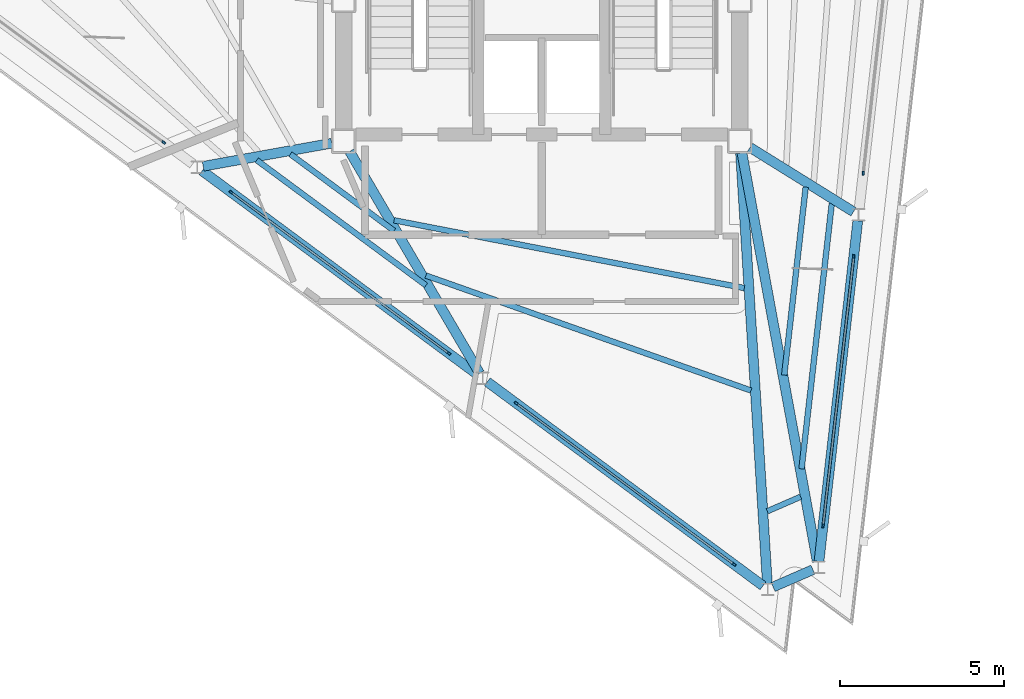
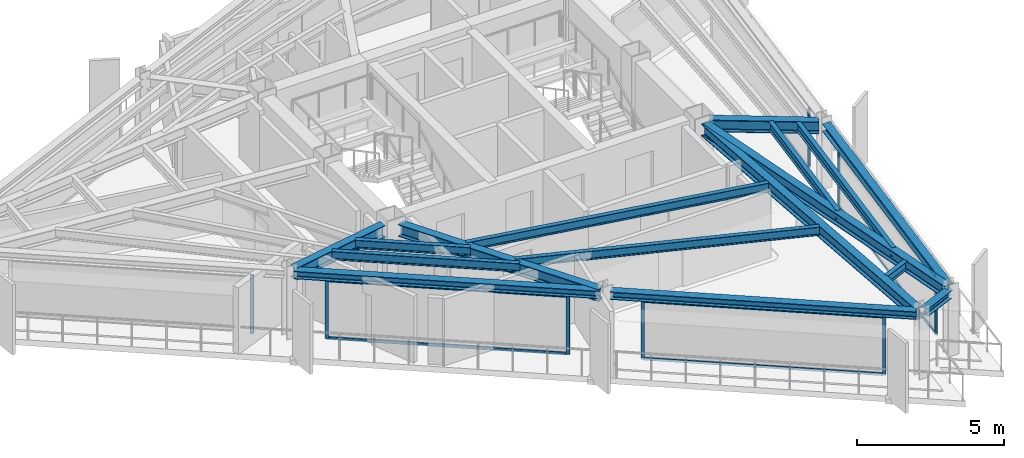
# One storey, part 2 of 10: 16 beams, 14 members, 5 elements without a shape of their own.
"""IFC4 building model written with IfcOpenShell, lengths in metres."""

from ifc_helpers import new_model, si_unit, direction, frame, origin, origin_2d, place, context, subcontext, project, spatial, rectangle, i_section, extrude, material, layer, layer_set, material_profile, profile_set, type_object, element, aggregate, save


model = new_model("IFC4")

# Units and contexts
model_context = context("Model", 3, precision=1e-05, world=origin(), true_north=direction((0.0, 1.0)))
body_context = subcontext(model_context, "Body", "Model", "MODEL_VIEW")
ifc_project = project(units=[si_unit("LENGTHUNIT", "METRE"), si_unit("AREAUNIT", "SQUARE_METRE"), si_unit("VOLUMEUNIT", "CUBIC_METRE"), si_unit("PLANEANGLEUNIT", "RADIAN"), si_unit("MASSUNIT", "GRAM", prefix="KILO")], contexts=[model_context])

# Site, building, storey
site_placement = place(None, origin())
site = spatial("IfcSite", under=ifc_project, at=site_placement, CompositionType="ELEMENT")
building_placement = place(site_placement, origin())
building = spatial("IfcBuilding", under=site, at=building_placement, Name="Rocaltana Carrier Exchange", CompositionType="ELEMENT")
storey_placement = place(building_placement, frame((0.0, 0.0, 220.9599609375)))
storey = spatial("IfcBuildingStorey", under=building, at=storey_placement, Name="L70", CompositionType="ELEMENT", Elevation=220.9599609375)

# Curtain wall, members
ifc_material_1 = material(Name="Aluminium 6063-T6", Category="aluminium")
ifc_layer = layer(ifc_material_1, 0.1201171875)
ifc_layer_set = layer_set([ifc_layer], Name="Aluminium 6063-T6")
curtain_wall_type = type_object("IfcCurtainWallType", Name="High-Altitude Thermal Curtain Wall CW-05", PredefinedType="NOTDEFINED", material=ifc_layer_set)
curtain_wall_1_placement = place(storey_placement, origin())
curtain_wall_1 = element("IfcCurtainWall", 1, at=curtain_wall_1_placement, inside=storey, type_object=curtain_wall_type, Name="L70 CW-05 Run CW-L70-F1S1", PredefinedType="NOTDEFINED")
ifc_material_2 = material(Name="Aluminium 6063-T6", Category="aluminium")
ifc_material_profile_1 = material_profile(ifc_material_2, rectangle(XDim=0.06005859375, YDim=0.1201171875, at=origin_2d()), Name="AL-60X120")
ifc_profile_set_1 = profile_set([ifc_material_profile_1], Name="Aluminium 6063-T6")
member_type_1 = type_object("IfcMemberType", Name="CW-05 Mullion AL-60X120", PredefinedType="MULLION", material=ifc_profile_set_1)
member_1_placement = place(storey_placement, frame((8.593505859375, -16.0458984375, 0.0), z_axis=(0.0, 0.0, 1.0), x_axis=(-0.993571216652, 0.113208822277, 0.0)))
member_1 = element("IfcMember", 2, at=member_1_placement, type_object=member_type_1, Name="CW-05 mullion 1", PredefinedType="MULLION", context=body_context, shape_type="SweptSolid", body=[
    extrude(rectangle(XDim=0.06005859375, YDim=0.1201171875, at=origin_2d()), origin(), (0.0, 0.0, 1.0), 2.447998046875),
])
member_2_placement = place(storey_placement, frame((9.530029296875, -7.825927734375, 0.0), z_axis=(0.0, 0.0, 1.0), x_axis=(-0.993571216652, 0.113208822277, 0.0)))
member_2 = element("IfcMember", 3, at=member_2_placement, type_object=member_type_1, Name="CW-05 mullion 2", PredefinedType="MULLION", context=body_context, shape_type="SweptSolid", body=[
    extrude(rectangle(XDim=0.06005859375, YDim=0.1201171875, at=origin_2d()), origin(), (0.0, 0.0, 1.0), 2.447998046875),
])

# Curtain wall, member
curtain_wall_2_placement = place(storey_placement, origin())
curtain_wall_2 = element("IfcCurtainWall", 4, at=curtain_wall_2_placement, inside=storey, type_object=curtain_wall_type, Name="L70 CW-05 Run CW-L70-F1S2", PredefinedType="NOTDEFINED")
member_3_placement = place(storey_placement, frame((9.81982421875, -5.2822265625, 0.0), z_axis=(0.0, 0.0, 1.0), x_axis=(-0.993571216652, 0.113208822277, 0.0)))
member_3 = element("IfcMember", 5, at=member_3_placement, type_object=member_type_1, Name="CW-05 mullion 1", PredefinedType="MULLION", context=body_context, shape_type="SweptSolid", body=[
    extrude(rectangle(XDim=0.06005859375, YDim=0.1201171875, at=origin_2d()), origin(), (0.0, 0.0, 1.0), 2.447998046875),
])
aggregate(curtain_wall_2, [member_3])

curtain_wall_3_placement = place(storey_placement, origin())
curtain_wall_3 = element("IfcCurtainWall", 6, at=curtain_wall_3_placement, inside=storey, type_object=curtain_wall_type, Name="L70 CW-05 Run CW-L70-F3S1", PredefinedType="NOTDEFINED")
member_4_placement = place(storey_placement, frame((-11.54248046875, -4.340576171875, 0.0), z_axis=(0.0, 0.0, 1.0), x_axis=(0.594826566974, 0.803854063386, 0.0)))
member_4 = element("IfcMember", 7, at=member_4_placement, type_object=member_type_1, Name="CW-05 mullion 2", PredefinedType="MULLION", context=body_context, shape_type="SweptSolid", body=[
    extrude(rectangle(XDim=0.06005859375, YDim=0.1201171875, at=origin_2d()), origin(), (0.0, 0.0, 1.0), 2.447998046875),
])
aggregate(curtain_wall_3, [member_4])

# Curtain wall, members
curtain_wall_4_placement = place(storey_placement, origin())
curtain_wall_4 = element("IfcCurtainWall", 8, at=curtain_wall_4_placement, inside=storey, type_object=curtain_wall_type, Name="L70 CW-05 Run CW-L70-F3S2", PredefinedType="NOTDEFINED")
member_5_placement = place(storey_placement, frame((-9.484619140625, -5.863037109375, 0.0), z_axis=(0.0, 0.0, 1.0), x_axis=(0.594820829179, 0.803858309141, 0.0)))
member_5 = element("IfcMember", 9, at=member_5_placement, type_object=member_type_1, Name="CW-05 mullion 1", PredefinedType="MULLION", context=body_context, shape_type="SweptSolid", body=[
    extrude(rectangle(XDim=0.06005859375, YDim=0.1201171875, at=origin_2d()), origin(), (0.0, 0.0, 1.0), 2.447998046875),
])
member_6_placement = place(storey_placement, frame((-2.833984375, -10.784423828125, 0.0), z_axis=(0.0, 0.0, 1.0), x_axis=(0.594820829179, 0.803858309141, 0.0)))
member_6 = element("IfcMember", 10, at=member_6_placement, type_object=member_type_1, Name="CW-05 mullion 2", PredefinedType="MULLION", context=body_context, shape_type="SweptSolid", body=[
    extrude(rectangle(XDim=0.06005859375, YDim=0.1201171875, at=origin_2d()), origin(), (0.0, 0.0, 1.0), 2.447998046875),
])

curtain_wall_5_placement = place(storey_placement, origin())
curtain_wall_5 = element("IfcCurtainWall", 11, at=curtain_wall_5_placement, inside=storey, type_object=curtain_wall_type, Name="L70 CW-05 Run CW-L70-F3S3", PredefinedType="NOTDEFINED")
member_7_placement = place(storey_placement, frame((-0.776123046875, -12.30712890625, 0.0), z_axis=(0.0, 0.0, 1.0), x_axis=(0.594826566974, 0.803854063386, 0.0)))
member_7 = element("IfcMember", 12, at=member_7_placement, type_object=member_type_1, Name="CW-05 mullion 1", PredefinedType="MULLION", context=body_context, shape_type="SweptSolid", body=[
    extrude(rectangle(XDim=0.06005859375, YDim=0.1201171875, at=origin_2d()), origin(), (0.0, 0.0, 1.0), 2.447998046875),
])
member_8_placement = place(storey_placement, frame((5.87451171875, -17.228271484375, 0.0), z_axis=(0.0, 0.0, 1.0), x_axis=(0.594826566974, 0.803854063386, 0.0)))
member_8 = element("IfcMember", 13, at=member_8_placement, type_object=member_type_1, Name="CW-05 mullion 2", PredefinedType="MULLION", context=body_context, shape_type="SweptSolid", body=[
    extrude(rectangle(XDim=0.06005859375, YDim=0.1201171875, at=origin_2d()), origin(), (0.0, 0.0, 1.0), 2.447998046875),
])

# Member
ifc_material_3 = material(Name="Aluminium 6063-T6", Category="aluminium")
ifc_material_profile_2 = material_profile(ifc_material_3, rectangle(XDim=0.06005859375, YDim=0.1201171875, at=origin_2d()), Name="AL-60X120")
ifc_profile_set_2 = profile_set([ifc_material_profile_2], Name="Aluminium 6063-T6")
member_type_2 = type_object("IfcMemberType", Name="CW-05 Transom AL-60X120", PredefinedType="USERDEFINED", material=ifc_profile_set_2)
member_9_placement = place(storey_placement, frame((8.596923828125, -16.01611328125, 0.030029296875), z_axis=(0.113194477683, 0.993572850989, 0.0), x_axis=(-0.993572850989, 0.113194477683, 0.0)))
member_9 = element("IfcMember", 14, at=member_9_placement, type_object=member_type_2, Name="CW-05 transom 1.1", ObjectType="TRANSOM", PredefinedType="USERDEFINED", context=body_context, shape_type="SweptSolid", body=[
    extrude(rectangle(XDim=0.06005859375, YDim=0.1201171875, at=origin_2d()), origin(), (0.0, 0.0, 1.0), 8.213134765625),
])

member_10_placement = place(storey_placement, frame((8.596923828125, -16.01611328125, 2.41796875), z_axis=(0.113194477683, 0.993572850989, 0.0), x_axis=(-0.993572850989, 0.113194477683, 0.0)))
member_10 = element("IfcMember", 15, at=member_10_placement, type_object=member_type_2, Name="CW-05 transom 1.2", ObjectType="TRANSOM", PredefinedType="USERDEFINED", context=body_context, shape_type="SweptSolid", body=[
    extrude(rectangle(XDim=0.06005859375, YDim=0.1201171875, at=origin_2d()), origin(), (0.0, 0.0, 1.0), 8.213134765625),
])

aggregate(curtain_wall_1, [member_1, member_2, member_9, member_10])

member_11_placement = place(storey_placement, frame((-9.46044921875, -5.881103515625, 0.030029296875), z_axis=(0.80386407087, -0.59481304253, 0.0), x_axis=(0.59481304253, 0.80386407087, 0.0)))
member_11 = element("IfcMember", 16, at=member_11_placement, type_object=member_type_2, Name="CW-05 transom 1.1", ObjectType="TRANSOM", PredefinedType="USERDEFINED", context=body_context, shape_type="SweptSolid", body=[
    extrude(rectangle(XDim=0.06005859375, YDim=0.1201171875, at=origin_2d()), origin(), (0.0, 0.0, 1.0), 8.213623046875),
])

member_12_placement = place(storey_placement, frame((-9.46044921875, -5.881103515625, 2.41796875), z_axis=(0.80386407087, -0.59481304253, 0.0), x_axis=(0.59481304253, 0.80386407087, 0.0)))
member_12 = element("IfcMember", 17, at=member_12_placement, type_object=member_type_2, Name="CW-05 transom 1.2", ObjectType="TRANSOM", PredefinedType="USERDEFINED", context=body_context, shape_type="SweptSolid", body=[
    extrude(rectangle(XDim=0.06005859375, YDim=0.1201171875, at=origin_2d()), origin(), (0.0, 0.0, 1.0), 8.213623046875),
])

aggregate(curtain_wall_4, [member_5, member_6, member_11, member_12])

member_13_placement = place(storey_placement, frame((-0.751953125, -12.324951171875, 0.030029296875), z_axis=(0.803853553959, -0.594827255418, 0.0), x_axis=(0.594827255418, 0.803853553959, 0.0)))
member_13 = element("IfcMember", 18, at=member_13_placement, type_object=member_type_2, Name="CW-05 transom 1.1", ObjectType="TRANSOM", PredefinedType="USERDEFINED", context=body_context, shape_type="SweptSolid", body=[
    extrude(rectangle(XDim=0.06005859375, YDim=0.1201171875, at=origin_2d()), origin(), (0.0, 0.0, 1.0), 8.21337890625),
])

member_14_placement = place(storey_placement, frame((-0.751953125, -12.324951171875, 2.41796875), z_axis=(0.803853553959, -0.594827255418, 0.0), x_axis=(0.594827255418, 0.803853553959, 0.0)))
member_14 = element("IfcMember", 19, at=member_14_placement, type_object=member_type_2, Name="CW-05 transom 1.2", ObjectType="TRANSOM", PredefinedType="USERDEFINED", context=body_context, shape_type="SweptSolid", body=[
    extrude(rectangle(XDim=0.06005859375, YDim=0.1201171875, at=origin_2d()), origin(), (0.0, 0.0, 1.0), 8.21337890625),
])

aggregate(curtain_wall_5, [member_7, member_8, member_13, member_14])

# Beams
ifc_material_4 = material(Name="Steel S355", Category="steel")
ifc_material_profile_3 = material_profile(ifc_material_4, i_section(OverallWidth=0.172119140625, OverallDepth=0.35791015625, WebThickness=0.0078125, FlangeThickness=0.01318359375, FilletRadius=0.011962890625, at=origin_2d()), Name="W14X38")
ifc_profile_set_3 = profile_set([ifc_material_profile_3], Name="Steel S355")
beam_type_1 = type_object("IfcBeamType", Name="Floor Joist W14X38", PredefinedType="JOIST", material=ifc_profile_set_3)
beam_1_placement = place(storey_placement, frame((7.409423828125, -11.44677734375, 2.619140625), z_axis=(0.113227249781, 0.993569116824, 0.0), x_axis=(-0.993569116824, 0.113227249781, 0.0)))
element("IfcBeam", 20, at=beam_1_placement, inside=storey, type_object=beam_type_1, Name="FJ-L70-01-2", PredefinedType="JOIST", context=body_context, shape_type="SweptSolid", body=[
    extrude(i_section(OverallWidth=0.172119140625, OverallDepth=0.35791015625, WebThickness=0.0078125, FlangeThickness=0.01318359375, FilletRadius=0.011962890625, at=origin_2d()), origin(), (0.0, 0.0, 1.0), 5.778564453125),
])
beam_2_placement = place(storey_placement, frame((7.937255859375, -14.310791015625, 2.619140625), z_axis=(0.113185523322, 0.993573871089, 0.0), x_axis=(-0.993573871089, 0.113185523322, 0.0)))
element("IfcBeam", 21, at=beam_2_placement, inside=storey, type_object=beam_type_1, Name="FJ-L70-01-3", PredefinedType="JOIST", context=body_context, shape_type="SweptSolid", body=[
    extrude(i_section(OverallWidth=0.172119140625, OverallDepth=0.35791015625, WebThickness=0.0078125, FlangeThickness=0.01318359375, FilletRadius=0.011962890625, at=origin_2d()), origin(), (0.0, 0.0, 1.0), 8.162109375),
])
beam_3_placement = place(storey_placement, frame((-7.675048828125, -4.698486328125, 2.619140625), z_axis=(0.803860282808, -0.594818161899, 0.0), x_axis=(0.594818161899, 0.803860282808, 0.0)))
element("IfcBeam", 22, at=beam_3_placement, inside=storey, type_object=beam_type_1, Name="FJ-L70-10-1", PredefinedType="JOIST", context=body_context, shape_type="SweptSolid", body=[
    extrude(i_section(OverallWidth=0.172119140625, OverallDepth=0.35791015625, WebThickness=0.0078125, FlangeThickness=0.01318359375, FilletRadius=0.011962890625, at=origin_2d()), origin(), (0.0, 0.0, 1.0), 3.93701171875),
])
beam_4_placement = place(storey_placement, frame((-8.70166015625, -4.8828125, 2.619140625), z_axis=(0.803852431251, -0.59482877265, 0.0), x_axis=(0.59482877265, 0.803852431251, 0.0)))
element("IfcBeam", 23, at=beam_4_placement, inside=storey, type_object=beam_type_1, Name="FJ-L70-10-2", PredefinedType="JOIST", context=body_context, shape_type="SweptSolid", body=[
    extrude(i_section(OverallWidth=0.172119140625, OverallDepth=0.35791015625, WebThickness=0.0078125, FlangeThickness=0.01318359375, FilletRadius=0.011962890625, at=origin_2d()), origin(), (0.0, 0.0, 1.0), 6.4287109375),
])
beam_5_placement = place(storey_placement, frame((-4.5078125, -6.718505859375, 2.619140625), z_axis=(0.981759350147, -0.190127794914, 0.0), x_axis=(0.190127794914, 0.981759350147, 0.0)))
element("IfcBeam", 24, at=beam_5_placement, inside=storey, type_object=beam_type_1, Name="FJ-L70-11-1", PredefinedType="JOIST", context=body_context, shape_type="SweptSolid", body=[
    extrude(i_section(OverallWidth=0.172119140625, OverallDepth=0.35791015625, WebThickness=0.0078125, FlangeThickness=0.01318359375, FilletRadius=0.011962890625, at=origin_2d()), origin(), (0.0, 0.0, 1.0), 10.896728515625),
])
beam_6_placement = place(storey_placement, frame((-3.537109375, -8.405517578125, 2.619140625), z_axis=(0.942743579006, -0.333518431639, 0.0), x_axis=(0.333518431639, 0.942743579006, 0.0)))
element("IfcBeam", 25, at=beam_6_placement, inside=storey, type_object=beam_type_1, Name="FJ-L70-11-2", PredefinedType="JOIST", context=body_context, shape_type="SweptSolid", body=[
    extrude(i_section(OverallWidth=0.172119140625, OverallDepth=0.35791015625, WebThickness=0.0078125, FlangeThickness=0.01318359375, FilletRadius=0.011962890625, at=origin_2d()), origin(), (0.0, 0.0, 1.0), 10.5322265625),
])
beam_7_placement = place(storey_placement, frame((6.890380859375, -15.60498046875, 2.619140625), z_axis=(0.917028106869, 0.398822581122, 0.0), x_axis=(-0.398822581122, 0.917028106869, 0.0)))
element("IfcBeam", 26, at=beam_7_placement, inside=storey, type_object=beam_type_1, Name="FJ-L70-12-3", PredefinedType="JOIST", context=body_context, shape_type="SweptSolid", body=[
    extrude(i_section(OverallWidth=0.172119140625, OverallDepth=0.35791015625, WebThickness=0.0078125, FlangeThickness=0.01318359375, FilletRadius=0.011962890625, at=origin_2d()), origin(), (0.0, 0.0, 1.0), 1.1103515625),
])
ifc_material_5 = material(Name="Steel S355", Category="steel")
ifc_material_profile_4 = material_profile(ifc_material_5, i_section(OverallWidth=0.300048828125, OverallDepth=0.320068359375, WebThickness=0.011474609375, FlangeThickness=0.0205078125, FilletRadius=0.027099609375, at=origin_2d()), Name="HEB320")
ifc_profile_set_4 = profile_set([ifc_material_profile_4], Name="Steel S355")
beam_type_2 = type_object("IfcBeamType", Name="Spandrel Edge Beam HEB320", PredefinedType="SPANDREL", material=ifc_profile_set_4)
for number, where, z_axis, x_axis, name in (
    (27, (8.468994140625, -17.139404296875, 2.637939453125), (0.113209353353, 0.99357115614, 0.0), (-0.99357115614, 0.113209353353, 0.0), "SP-L70-01"),
    (28, (-10.369140625, -5.20849609375, 2.637939453125), (0.803854381492, -0.594826137082, 0.0), (0.594826137082, 0.803854381492, 0.0), "SP-L70-10"),
):
    element("IfcBeam", number, at=place(storey_placement, frame(where, z_axis=z_axis, x_axis=x_axis)), inside=storey, type_object=beam_type_2, Name=name, PredefinedType="SPANDREL", context=body_context, shape_type="SweptSolid", body=[
        extrude(i_section(OverallWidth=0.300048828125, OverallDepth=0.320068359375, WebThickness=0.011474609375, FlangeThickness=0.0205078125, FilletRadius=0.027099609375, at=origin_2d()), origin(), (0.0, 0.0, 1.0), 10.474365234375),
    ])
beam_8_placement = place(storey_placement, frame((-1.66064453125, -11.652587890625, 2.637939453125), z_axis=(0.803857279617, -0.594822220505, 0.0), x_axis=(0.594822220505, 0.803857279617, 0.0)))
element("IfcBeam", 29, at=beam_8_placement, inside=storey, type_object=beam_type_2, Name="SP-L70-11", PredefinedType="SPANDREL", context=body_context, shape_type="SweptSolid", body=[
    extrude(i_section(OverallWidth=0.300048828125, OverallDepth=0.320068359375, WebThickness=0.011474609375, FlangeThickness=0.0205078125, FilletRadius=0.027099609375, at=origin_2d()), origin(), (0.0, 0.0, 1.0), 10.47412109375),
])
beam_9_placement = place(storey_placement, frame((7.068115234375, -17.91796875, 2.637939453125), z_axis=(0.917084694232, 0.398692442372, 0.0), x_axis=(-0.398692442372, 0.917084694232, 0.0)))
element("IfcBeam", 30, at=beam_9_placement, inside=storey, type_object=beam_type_2, Name="SP-L70-12", PredefinedType="SPANDREL", context=body_context, shape_type="SweptSolid", body=[
    extrude(i_section(OverallWidth=0.300048828125, OverallDepth=0.320068359375, WebThickness=0.011474609375, FlangeThickness=0.0205078125, FilletRadius=0.027099609375, at=origin_2d()), origin(), (0.0, 0.0, 1.0), 1.32568359375),
])
ifc_material_6 = material(Name="Steel S355", Category="steel")
ifc_material_profile_5 = material_profile(ifc_material_6, i_section(OverallWidth=0.300048828125, OverallDepth=0.5, WebThickness=0.014404296875, FlangeThickness=0.028076171875, FilletRadius=0.027099609375, at=origin_2d()), Name="HEB500")
ifc_profile_set_5 = profile_set([ifc_material_profile_5], Name="Steel S355")
beam_type_3 = type_object("IfcBeamType", Name="Upper Radial Girder HEB500", PredefinedType="BEAM", material=ifc_profile_set_5)
beam_10_placement = place(storey_placement, frame((6.116455078125, -4.660888671875, 2.548095703125), z_axis=(0.181206008734, -0.983445159833, 0.0), x_axis=(0.983445159833, 0.181206008734, 0.0)))
element("IfcBeam", 31, at=beam_10_placement, inside=storey, type_object=beam_type_3, Name="RG-L70-01", PredefinedType="BEAM", context=body_context, shape_type="SweptSolid", body=[
    extrude(i_section(OverallWidth=0.300048828125, OverallDepth=0.5, WebThickness=0.014404296875, FlangeThickness=0.028076171875, FilletRadius=0.027099609375, at=origin_2d()), origin(), (0.0, 0.0, 1.0), 12.6904296875),
])
beam_11_placement = place(storey_placement, frame((6.36181640625, -4.493896484375, 2.548095703125), z_axis=(0.849230475693, -0.52802234721, 0.0), x_axis=(0.52802234721, 0.849230475693, 0.0)))
element("IfcBeam", 32, at=beam_11_placement, inside=storey, type_object=beam_type_3, Name="RG-L70-02", PredefinedType="BEAM", context=body_context, shape_type="SweptSolid", body=[
    extrude(i_section(OverallWidth=0.300048828125, OverallDepth=0.5, WebThickness=0.014404296875, FlangeThickness=0.028076171875, FilletRadius=0.027099609375, at=origin_2d()), origin(), (0.0, 0.0, 1.0), 3.72216796875),
])
beam_12_placement = place(storey_placement, frame((-6.4111328125, -4.364990234375, 2.548095703125), z_axis=(-0.984251551431, -0.176773537347, 0.0), x_axis=(0.176773537347, -0.984251551431, 0.0)))
element("IfcBeam", 33, at=beam_12_placement, inside=storey, type_object=beam_type_3, Name="RG-L70-10", PredefinedType="BEAM", context=body_context, shape_type="SweptSolid", body=[
    extrude(i_section(OverallWidth=0.300048828125, OverallDepth=0.5, WebThickness=0.014404296875, FlangeThickness=0.028076171875, FilletRadius=0.027099609375, at=origin_2d()), origin(), (0.0, 0.0, 1.0), 3.988525390625),
])
beam_13_placement = place(storey_placement, frame((-5.864501953125, -4.61669921875, 2.548095703125), z_axis=(0.505500021145, -0.86282659244, 0.0), x_axis=(0.86282659244, 0.505500021145, 0.0)))
element("IfcBeam", 34, at=beam_13_placement, inside=storey, type_object=beam_type_3, Name="RG-L70-11", PredefinedType="BEAM", context=body_context, shape_type="SweptSolid", body=[
    extrude(i_section(OverallWidth=0.300048828125, OverallDepth=0.5, WebThickness=0.014404296875, FlangeThickness=0.028076171875, FilletRadius=0.027099609375, at=origin_2d()), origin(), (0.0, 0.0, 1.0), 7.85107421875),
])
beam_14_placement = place(storey_placement, frame((6.07275390625, -4.666259765625, 2.548095703125), z_axis=(0.062214398445, -0.998062807957, 0.0), x_axis=(0.998062807957, 0.062214398445, 0.0)))
element("IfcBeam", 35, at=beam_14_placement, inside=storey, type_object=beam_type_3, Name="RG-L70-12", PredefinedType="BEAM", context=body_context, shape_type="SweptSolid", body=[
    extrude(i_section(OverallWidth=0.300048828125, OverallDepth=0.5, WebThickness=0.014404296875, FlangeThickness=0.028076171875, FilletRadius=0.027099609375, at=origin_2d()), origin(), (0.0, 0.0, 1.0), 13.16943359375),
])

save(model, "model.ifc")
